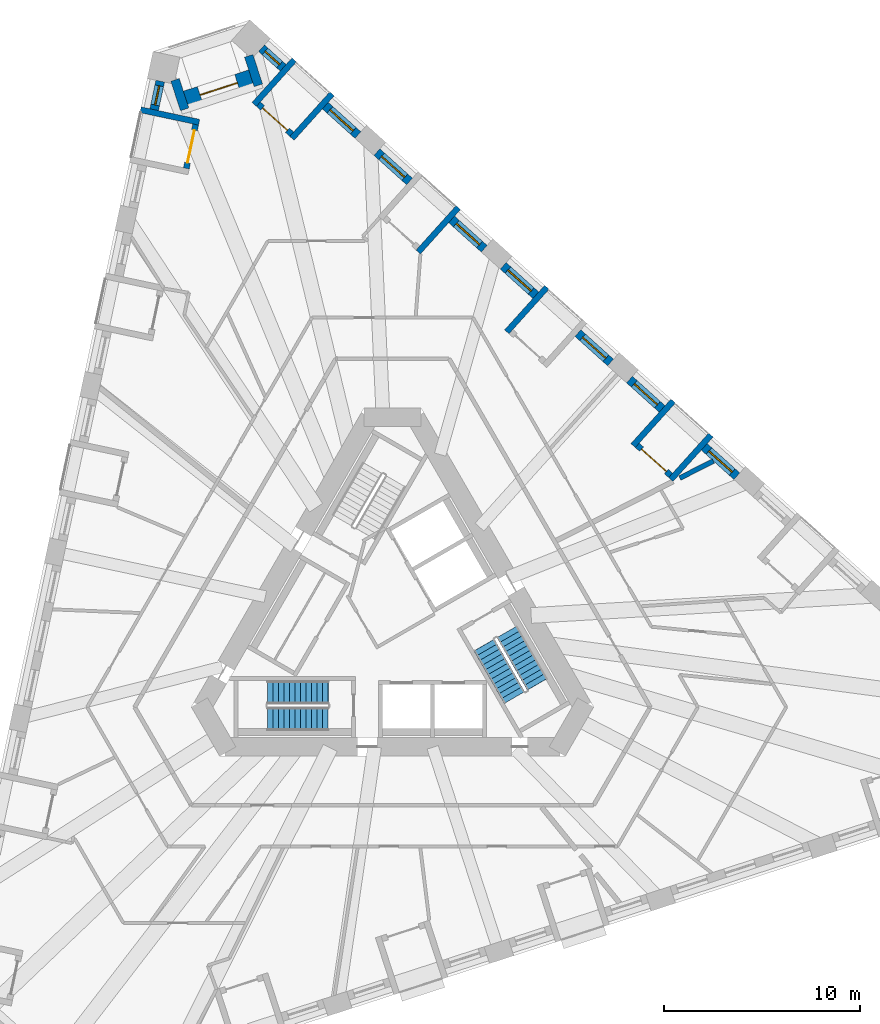
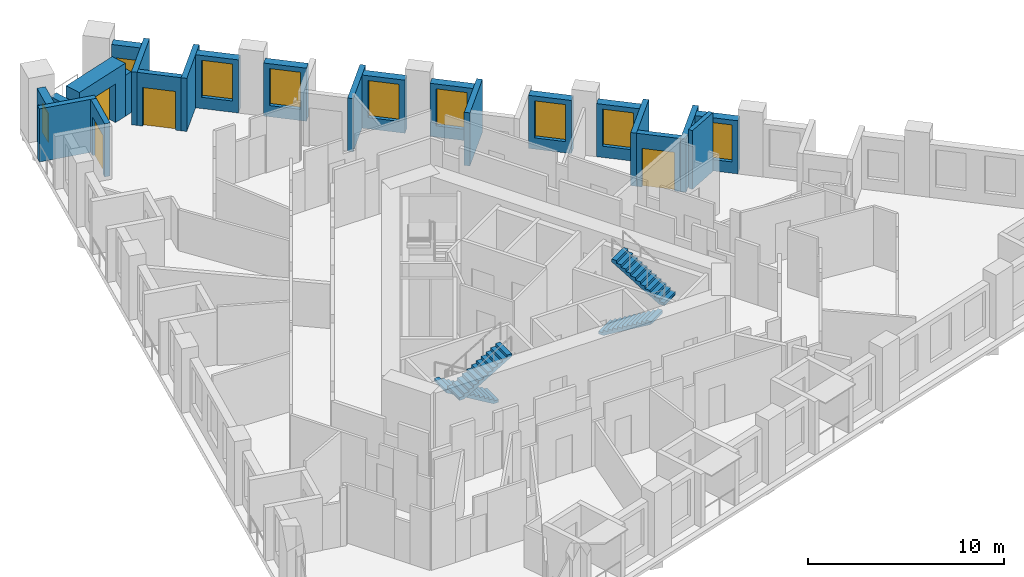
# One storey, part 9 of 13: 23 walls, 9 windows, 4 doors, 4 stair flights, 13 openings, 2 elements without a shape of their own.
"""IFC4 building model written with IfcOpenShell, lengths in metres."""

import ifcopenshell
import ifcopenshell.guid

model = None  # the IFC model being written
_history = None  # IfcOwnerHistory: only IFC2X3 demands one
_inside = {}  # id of a spatial element -> (the spatial element, [elements in it])
_under = {}  # id of a project, library or spatial element -> (it, [spatial elements below it])
_declared = {}  # id of a project -> (the project, [libraries it declares])
_typed = {}  # id of a type object -> (the type object, [elements of that type])
_made_of = {}  # id of a material, layer set ... -> (it, [elements and type objects made of it])


def new_model(schema):
    """Start an empty IFC model of exactly this schema.

    Asked for "IFC4X3", IfcOpenShell would pick the latest addendum, in which some entities
    have other attributes; the version numbers below select the first issue.
    IFC2X3 requires an IfcOwnerHistory on every rooted entity: one is made here for all.
    """
    global model, _history
    if schema == "IFC4X3":
        model = ifcopenshell.file(schema_version=(4, 3, 0, 0))
    else:
        model = ifcopenshell.file(schema=schema)
    _inside.clear()
    _under.clear()
    _declared.clear()
    _typed.clear()
    _made_of.clear()
    _history = None
    if model.schema == "IFC2X3":
        org = make("IfcOrganization", Name="unknown")
        user = make(
            "IfcPersonAndOrganization",
            ThePerson=make("IfcPerson", FamilyName="unknown"),
            TheOrganization=org,
        )
        app = make(
            "IfcApplication",
            ApplicationDeveloper=org,
            Version="unknown",
            ApplicationFullName="unknown",
            ApplicationIdentifier="unknown",
        )
        _history = make(
            "IfcOwnerHistory",
            OwningUser=user,
            OwningApplication=app,
            ChangeAction="ADDED",
            CreationDate=0,
        )
    return model


def make(cls, **values):
    """One entity of the class cls with the attributes given. An attribute that is None is left unset."""
    return model.create_entity(
        cls, **{name: value for name, value in values.items() if value is not None}
    )


def rooted(cls, **values):
    """An entity with a GlobalId (a new one), such as an element, a storey or a relation."""
    return make(cls, GlobalId=ifcopenshell.guid.new(), OwnerHistory=_history, **values)


def si_unit(unit_type, name, prefix=None):
    """IfcSIUnit, for example si_unit("LENGTHUNIT", "METRE", prefix="MILLI")."""
    return make("IfcSIUnit", UnitType=unit_type, Prefix=prefix, Name=name)


def assignment(units):
    """IfcUnitAssignment: the units of a project."""
    return None if units is None else make("IfcUnitAssignment", Units=units)


def point(xyz):
    """IfcCartesianPoint."""
    return None if xyz is None else make("IfcCartesianPoint", Coordinates=xyz)


def direction(xyz):
    """IfcDirection."""
    return None if xyz is None else make("IfcDirection", DirectionRatios=xyz)


def frame(location, z_axis=None, x_axis=None):
    """IfcAxis2Placement3D, a coordinate frame: its origin and axes. An axis left out is left unset."""
    return make(
        "IfcAxis2Placement3D",
        Location=point(location),
        Axis=direction(z_axis),
        RefDirection=direction(x_axis),
    )


def frame_2d(location, x_axis=None):
    """IfcAxis2Placement2D, a coordinate frame in the plane: its origin and x axis."""
    return make(
        "IfcAxis2Placement2D", Location=point(location), RefDirection=direction(x_axis)
    )


def origin():
    """The frame at (0, 0, 0) with its axes left unset."""
    return frame((0.0, 0.0, 0.0))


def place(relative_to, where):
    """IfcLocalPlacement: puts the frame where relative to a parent placement (None: the world)."""
    return make(
        "IfcLocalPlacement", PlacementRelTo=relative_to, RelativePlacement=where
    )


def context(
    kind, dimensions, precision=None, world=None, true_north=None, identifier=None
):
    """IfcGeometricRepresentationContext, for example the 3D "Model" context."""
    return make(
        "IfcGeometricRepresentationContext",
        ContextIdentifier=identifier,
        ContextType=kind,
        CoordinateSpaceDimension=dimensions,
        Precision=precision,
        WorldCoordinateSystem=world,
        TrueNorth=true_north,
    )


def subcontext(parent, identifier, kind, view, scale=None):
    """IfcGeometricRepresentationSubContext, for example "Body" below "Model"."""
    return make(
        "IfcGeometricRepresentationSubContext",
        ContextIdentifier=identifier,
        ContextType=kind,
        ParentContext=parent,
        TargetScale=scale,
        TargetView=view,
    )


def project(units=None, contexts=None):
    """IfcProject with its units and contexts."""
    return rooted(
        "IfcProject",
        Name="project",
        RepresentationContexts=contexts,
        UnitsInContext=assignment(units),
    )


def spatial(cls, under=None, at=None, **own):
    """A site, building, storey or space (cls), placed at a placement, below another one or the project."""
    s = rooted(cls, ObjectPlacement=at, **own)
    if under is not None:
        _under.setdefault(under.id(), (under, []))[1].append(s)
    return s


def polyline(points):
    """IfcPolyline through the points."""
    return make("IfcPolyline", Points=[point(p) for p in points])


def profile(cls, at=None, kind="AREA", **sizes):
    """A parametric profile (cls). Its sizes go by their IFC names, for example OverallWidth=200.0."""
    return make(cls, ProfileType=kind, Position=at, **sizes)


def rectangle(**sizes):
    """IfcRectangleProfileDef."""
    return profile("IfcRectangleProfileDef", **sizes)


def outline(outer, holes=None, kind="AREA"):
    """IfcArbitraryClosedProfileDef: a profile drawn as a closed curve; with holes, ...WithVoids."""
    if holes is None:
        return make("IfcArbitraryClosedProfileDef", ProfileType=kind, OuterCurve=outer)
    return make(
        "IfcArbitraryProfileDefWithVoids",
        ProfileType=kind,
        OuterCurve=outer,
        InnerCurves=holes,
    )


def extrude(swept, where, along, depth):
    """IfcExtrudedAreaSolid: the profile swept, set in the frame where, extruded along a direction by depth."""
    return make(
        "IfcExtrudedAreaSolid",
        SweptArea=swept,
        Position=where,
        ExtrudedDirection=direction(along),
        Depth=depth,
    )


def shape(context_of_items, identifier, shape_type, items):
    """IfcShapeRepresentation: the items that make up one representation, for example the "Body"."""
    return make(
        "IfcShapeRepresentation",
        ContextOfItems=context_of_items,
        RepresentationIdentifier=identifier,
        RepresentationType=shape_type,
        Items=items,
    )


def material(Name=None, Category=None):
    """IfcMaterial."""
    return make("IfcMaterial", Name=Name, Category=Category)


def layer(
    of_material, thickness, ventilated=None, Name=None, Category=None, Priority=None
):
    """IfcMaterialLayer: one layer of a wall or slab, of a material (None: an air gap)."""
    return make(
        "IfcMaterialLayer",
        Material=of_material,
        LayerThickness=thickness,
        IsVentilated=ventilated,
        Name=Name,
        Category=Category,
        Priority=Priority,
    )


def layer_set(layers, Name=None):
    """IfcMaterialLayerSet."""
    return make("IfcMaterialLayerSet", MaterialLayers=layers, LayerSetName=Name)


def made_of(thing, what):
    """Note that an element or type object is made of a material, layer set ...; save() writes the relation."""
    if what is not None:
        _made_of.setdefault(what.id(), (what, []))[1].append(thing)
    return thing


def type_object(cls, material=None, **own):
    """A type object (cls), such as IfcWallType, which elements share."""
    return made_of(rooted(cls, **own), material)


def element(
    cls,
    number,
    at=None,
    inside=None,
    cuts=None,
    type_object=None,
    material=None,
    context=None,
    identifier="Body",
    shape_type=None,
    held_by="IfcProductDefinitionShape",
    body=None,
    shapes=None,
    **own,
):
    """One element of the class cls, such as IfcWall. Its Tag is "e" and its number.

    at: its placement. inside: the storey or other place that contains it. cuts: it is an
    opening in that element (IfcRelVoidsElement). A single representation is given by context,
    identifier, shape_type and body (its items); several are given by shapes. held_by: the class
    of the entity that holds the representations. save() writes the other relations.
    """
    e = rooted(cls, Tag="e%d" % number, ObjectPlacement=at, **own)
    if body is not None:
        shapes = [shape(context, identifier, shape_type, body)]
    if shapes is not None:
        e.Representation = make(held_by, Representations=shapes)
    if inside is not None:
        _inside.setdefault(inside.id(), (inside, []))[1].append(e)
    if cuts is not None:
        rooted(
            "IfcRelVoidsElement", RelatingBuildingElement=cuts, RelatedOpeningElement=e
        )
    if type_object is not None:
        _typed.setdefault(type_object.id(), (type_object, []))[1].append(e)
    return made_of(e, material)


def fill(opening, filler):
    """IfcRelFillsElement: the door or window that sits in an opening."""
    return rooted(
        "IfcRelFillsElement",
        RelatingOpeningElement=opening,
        RelatedBuildingElement=filler,
    )


def aggregate(whole, parts):
    """IfcRelAggregates: a whole, such as a stair, and the parts it consists of."""
    return rooted("IfcRelAggregates", RelatingObject=whole, RelatedObjects=parts)


def save(model, path):
    """Write the relations noted so far, then the file.

    IfcRelAggregates (storeys below a building ...), IfcRelContainedInSpatialStructure (elements
    in a storey), IfcRelDefinesByType, IfcRelAssociatesMaterial and IfcRelDeclares: one each for
    every whole, place, type object, material and project.
    """
    for whole, parts in _under.values():
        aggregate(whole, parts)
    for where, things in _inside.values():
        rooted(
            "IfcRelContainedInSpatialStructure",
            RelatedElements=things,
            RelatingStructure=where,
        )
    for kind, things in _typed.values():
        rooted("IfcRelDefinesByType", RelatedObjects=things, RelatingType=kind)
    for what, things in _made_of.values():
        rooted("IfcRelAssociatesMaterial", RelatedObjects=things, RelatingMaterial=what)
    for by, libraries in _declared.values():
        rooted("IfcRelDeclares", RelatingContext=by, RelatedDefinitions=libraries)
    model.write(path)


model = new_model("IFC4")

# Units and contexts
model_context = context("Model", 3, precision=1e-05, world=origin(), true_north=direction((0.0, 1.0)))
body_context = subcontext(model_context, "Body", "Model", "MODEL_VIEW")
ifc_project = project(units=[si_unit("LENGTHUNIT", "METRE"), si_unit("AREAUNIT", "SQUARE_METRE"), si_unit("VOLUMEUNIT", "CUBIC_METRE"), si_unit("PLANEANGLEUNIT", "RADIAN"), si_unit("MASSUNIT", "GRAM", prefix="KILO")], contexts=[model_context])

# Site, building, storey
site_placement = place(None, origin())
site = spatial("IfcSite", under=ifc_project, at=site_placement, CompositionType="ELEMENT")
building_placement = place(site_placement, origin())
building = spatial("IfcBuilding", under=site, at=building_placement, Name="Tramontana Tower", CompositionType="ELEMENT")
storey_placement = place(building_placement, frame((0.0, 0.0, 116.39990234375)))
storey = spatial("IfcBuildingStorey", under=building, at=storey_placement, Name="L26", CompositionType="ELEMENT", Elevation=116.39990234375)

# Wall, opening, window
ifc_material_1 = material(Name="Precast concrete 60 MPa", Category="concrete")
ifc_layer_1 = layer(ifc_material_1, 0.449951171875)
ifc_layer_set_1 = layer_set([ifc_layer_1], Name="Precast concrete 60 MPa, 450 mm")
wall_type_1 = type_object("IfcWallType", Name="EW1 Stone-faced precast wall 450", PredefinedType="SOLIDWALL", material=ifc_layer_set_1)
wall_1_placement = place(storey_placement, frame((-11.835693359375, 27.645751953125, 0.0), z_axis=(0.0, 0.0, 1.0), x_axis=(-0.207880358131, -0.978154260178, 0.0)))
wall_1 = element("IfcWall", 1, at=wall_1_placement, inside=storey, type_object=wall_type_1, Name="External wall L26 face 0 bay 1", PredefinedType="SOLIDWALL", context=body_context, shape_type="SweptSolid", body=[
    extrude(rectangle(XDim=1.48681640625, YDim=0.449951171875, at=frame_2d((0.743408203125, 0.0))), origin(), (0.0, 0.0, 1.0), 3.300048828125),
])
opening_1_placement = place(wall_1_placement, frame((0.243408203125, 0.0, 0.699951171875)))
opening_1 = element("IfcOpeningElement", 2, at=opening_1_placement, cuts=wall_1, Name="Opening N1L", PredefinedType="OPENING", context=body_context, shape_type="SweptSolid", body=[
    extrude(rectangle(XDim=1.0, YDim=1.800048828125, at=frame_2d((0.5, 0.89990234375))), frame((0.0, 0.23486328125, 0.0), z_axis=(0.0, -1.0, 0.0), x_axis=(1.0, 0.0, 0.0)), (0.0, 0.0, 1.0), 0.469970703125),
])
ifc_material_2 = material(Name="Aluminum frame, double glazing unit", Category="aluminium")
window_type_1 = type_object("IfcWindowType", Name="N1L Window 1 x 1.8", PartitioningType="SINGLE_PANEL", PredefinedType="WINDOW", material=ifc_material_2)
window_1_placement = place(opening_1_placement, origin())
window_1 = element("IfcWindow", 3, at=window_1_placement, inside=storey, type_object=window_type_1, Name="Window N1L L26 face 0 module 1", OverallHeight=1.800048828125, OverallWidth=1.0, PartitioningType="SINGLE_PANEL", PredefinedType="WINDOW", context=body_context, shape_type="SweptSolid", body=[
    extrude(rectangle(XDim=1.0, YDim=1.800048828125, at=frame_2d((0.5, 0.89990234375))), frame((0.0, 0.030029296875, 0.0), z_axis=(0.0, -1.0, 0.0), x_axis=(1.0, 0.0, 0.0)), (0.0, 0.0, 1.0), 0.06005859375),
])
fill(opening_1, window_1)

wall_2_placement = place(storey_placement, frame((17.54541015625, 7.51513671875, 0.0), z_axis=(0.0, 0.0, 1.0), x_axis=(-0.743142151309, 0.669133576311, 0.0)))
wall_2 = element("IfcWall", 4, at=wall_2_placement, inside=storey, type_object=wall_type_1, Name="External wall L26 face 2 bay 3", PredefinedType="SOLIDWALL", context=body_context, shape_type="SweptSolid", body=[
    extrude(rectangle(XDim=2.236572265625, YDim=0.449951171875, at=frame_2d((1.1181640625, 0.0))), origin(), (0.0, 0.0, 1.0), 3.300048828125),
])
opening_2_placement = place(wall_2_placement, frame((0.318359375, 0.0, 0.699951171875)))
opening_2 = element("IfcOpeningElement", 5, at=opening_2_placement, cuts=wall_2, Name="Opening M1", PredefinedType="OPENING", context=body_context, shape_type="SweptSolid", body=[
    extrude(rectangle(XDim=1.60009765625, YDim=2.300048828125, at=frame_2d((0.800048828125, 1.14990234375))), frame((0.0, 0.23486328125, 0.0), z_axis=(0.0, -1.0, 0.0), x_axis=(1.0, 0.0, 0.0)), (0.0, 0.0, 1.0), 0.469970703125),
])
ifc_material_3 = material(Name="Aluminum frame, double glazing unit", Category="aluminium")
window_type_2 = type_object("IfcWindowType", Name="M1 Window 1.6 x 2.3", PartitioningType="SINGLE_PANEL", PredefinedType="WINDOW", material=ifc_material_3)
window_2_placement = place(opening_2_placement, origin())
window_2 = element("IfcWindow", 6, at=window_2_placement, inside=storey, type_object=window_type_2, Name="Window M1 L26 face 2 module 7", OverallHeight=2.300048828125, OverallWidth=1.60009765625, PartitioningType="SINGLE_PANEL", PredefinedType="WINDOW", context=body_context, shape_type="SweptSolid", body=[
    extrude(rectangle(XDim=1.60009765625, YDim=2.300048828125, at=frame_2d((0.800048828125, 1.14990234375))), frame((0.0, 0.030029296875, 0.0), z_axis=(0.0, -1.0, 0.0), x_axis=(1.0, 0.0, 0.0)), (0.0, 0.0, 1.0), 0.06005859375),
])
fill(opening_2, window_2)

wall_3_placement = place(storey_placement, frame((13.738037109375, 10.943359375, 0.0), z_axis=(0.0, 0.0, 1.0), x_axis=(-0.743191019375, 0.669079299276, 0.0)))
wall_3 = element("IfcWall", 7, at=wall_3_placement, inside=storey, type_object=wall_type_1, Name="External wall L26 face 2 bay 3", PredefinedType="SOLIDWALL", context=body_context, shape_type="SweptSolid", body=[
    extrude(rectangle(XDim=2.23681640625, YDim=0.449951171875, at=frame_2d((1.118408203125, 0.0))), origin(), (0.0, 0.0, 1.0), 3.300048828125),
])
opening_3_placement = place(wall_3_placement, frame((0.318359375, 0.0, 0.699951171875)))
opening_3 = element("IfcOpeningElement", 8, at=opening_3_placement, cuts=wall_3, Name="Opening M1", PredefinedType="OPENING", context=body_context, shape_type="SweptSolid", body=[
    extrude(rectangle(XDim=1.60009765625, YDim=2.300048828125, at=frame_2d((0.800048828125, 1.14990234375))), frame((0.0, 0.23486328125, 0.0), z_axis=(0.0, -1.0, 0.0), x_axis=(1.0, 0.0, 0.0)), (0.0, 0.0, 1.0), 0.469970703125),
])
window_3_placement = place(opening_3_placement, origin())
window_3 = element("IfcWindow", 9, at=window_3_placement, inside=storey, type_object=window_type_2, Name="Window M1 L26 face 2 module 9", OverallHeight=2.300048828125, OverallWidth=1.60009765625, PartitioningType="SINGLE_PANEL", PredefinedType="WINDOW", context=body_context, shape_type="SweptSolid", body=[
    extrude(rectangle(XDim=1.60009765625, YDim=2.300048828125, at=frame_2d((0.800048828125, 1.14990234375))), frame((0.0, 0.030029296875, 0.0), z_axis=(0.0, -1.0, 0.0), x_axis=(1.0, 0.0, 0.0)), (0.0, 0.0, 1.0), 0.06005859375),
])
fill(opening_3, window_3)

wall_4_placement = place(storey_placement, frame((11.109619140625, 13.309814453125, 0.0), z_axis=(0.0, 0.0, 1.0), x_axis=(-0.743087873176, 0.669193852885, 0.0)))
wall_4 = element("IfcWall", 10, at=wall_4_placement, inside=storey, type_object=wall_type_1, Name="External wall L26 face 2 bay 4", PredefinedType="SOLIDWALL", context=body_context, shape_type="SweptSolid", body=[
    extrude(rectangle(XDim=2.23681640625, YDim=0.449951171875, at=frame_2d((1.118408203125, 0.0))), origin(), (0.0, 0.0, 1.0), 3.300048828125),
])
opening_4_placement = place(wall_4_placement, frame((0.318359375, 0.0, 0.699951171875)))
opening_4 = element("IfcOpeningElement", 11, at=opening_4_placement, cuts=wall_4, Name="Opening M1", PredefinedType="OPENING", context=body_context, shape_type="SweptSolid", body=[
    extrude(rectangle(XDim=1.60009765625, YDim=2.300048828125, at=frame_2d((0.800048828125, 1.14990234375))), frame((0.0, 0.23486328125, 0.0), z_axis=(0.0, -1.0, 0.0), x_axis=(1.0, 0.0, 0.0)), (0.0, 0.0, 1.0), 0.469970703125),
])
window_4_placement = place(opening_4_placement, origin())
window_4 = element("IfcWindow", 12, at=window_4_placement, inside=storey, type_object=window_type_2, Name="Window M1 L26 face 2 module 10", OverallHeight=2.300048828125, OverallWidth=1.60009765625, PartitioningType="SINGLE_PANEL", PredefinedType="WINDOW", context=body_context, shape_type="SweptSolid", body=[
    extrude(rectangle(XDim=1.60009765625, YDim=2.300048828125, at=frame_2d((0.800048828125, 1.14990234375))), frame((0.0, 0.030029296875, 0.0), z_axis=(0.0, -1.0, 0.0), x_axis=(1.0, 0.0, 0.0)), (0.0, 0.0, 1.0), 0.06005859375),
])
fill(opening_4, window_4)

wall_5_placement = place(storey_placement, frame((7.30224609375, 16.73828125, 0.0), z_axis=(0.0, 0.0, 1.0), x_axis=(-0.743191019375, 0.669079299276, 0.0)))
wall_5 = element("IfcWall", 13, at=wall_5_placement, inside=storey, type_object=wall_type_1, Name="External wall L26 face 2 bay 4", PredefinedType="SOLIDWALL", context=body_context, shape_type="SweptSolid", body=[
    extrude(rectangle(XDim=2.23681640625, YDim=0.449951171875, at=frame_2d((1.118408203125, 0.0))), origin(), (0.0, 0.0, 1.0), 3.300048828125),
])
opening_5_placement = place(wall_5_placement, frame((0.318359375, 0.0, 0.699951171875)))
opening_5 = element("IfcOpeningElement", 14, at=opening_5_placement, cuts=wall_5, Name="Opening M1", PredefinedType="OPENING", context=body_context, shape_type="SweptSolid", body=[
    extrude(rectangle(XDim=1.60009765625, YDim=2.300048828125, at=frame_2d((0.800048828125, 1.14990234375))), frame((0.0, 0.23486328125, 0.0), z_axis=(0.0, -1.0, 0.0), x_axis=(1.0, 0.0, 0.0)), (0.0, 0.0, 1.0), 0.469970703125),
])
window_5_placement = place(opening_5_placement, origin())
window_5 = element("IfcWindow", 15, at=window_5_placement, inside=storey, type_object=window_type_2, Name="Window M1 L26 face 2 module 12", OverallHeight=2.300048828125, OverallWidth=1.60009765625, PartitioningType="SINGLE_PANEL", PredefinedType="WINDOW", context=body_context, shape_type="SweptSolid", body=[
    extrude(rectangle(XDim=1.60009765625, YDim=2.300048828125, at=frame_2d((0.800048828125, 1.14990234375))), frame((0.0, 0.030029296875, 0.0), z_axis=(0.0, -1.0, 0.0), x_axis=(1.0, 0.0, 0.0)), (0.0, 0.0, 1.0), 0.06005859375),
])
fill(opening_5, window_5)

wall_6_placement = place(storey_placement, frame((4.673828125, 19.104736328125, 0.0), z_axis=(0.0, 0.0, 1.0), x_axis=(-0.743191019375, 0.669079299276, 0.0)))
wall_6 = element("IfcWall", 16, at=wall_6_placement, inside=storey, type_object=wall_type_1, Name="External wall L26 face 2 bay 5", PredefinedType="SOLIDWALL", context=body_context, shape_type="SweptSolid", body=[
    extrude(rectangle(XDim=2.23681640625, YDim=0.449951171875, at=frame_2d((1.118408203125, 0.0))), origin(), (0.0, 0.0, 1.0), 3.300048828125),
])
opening_6_placement = place(wall_6_placement, frame((0.318359375, 0.0, 0.699951171875)))
opening_6 = element("IfcOpeningElement", 17, at=opening_6_placement, cuts=wall_6, Name="Opening M1", PredefinedType="OPENING", context=body_context, shape_type="SweptSolid", body=[
    extrude(rectangle(XDim=1.60009765625, YDim=2.300048828125, at=frame_2d((0.800048828125, 1.14990234375))), frame((0.0, 0.23486328125, 0.0), z_axis=(0.0, -1.0, 0.0), x_axis=(1.0, 0.0, 0.0)), (0.0, 0.0, 1.0), 0.469970703125),
])
window_6_placement = place(opening_6_placement, origin())
window_6 = element("IfcWindow", 18, at=window_6_placement, inside=storey, type_object=window_type_2, Name="Window M1 L26 face 2 module 13", OverallHeight=2.300048828125, OverallWidth=1.60009765625, PartitioningType="SINGLE_PANEL", PredefinedType="WINDOW", context=body_context, shape_type="SweptSolid", body=[
    extrude(rectangle(XDim=1.60009765625, YDim=2.300048828125, at=frame_2d((0.800048828125, 1.14990234375))), frame((0.0, 0.030029296875, 0.0), z_axis=(0.0, -1.0, 0.0), x_axis=(1.0, 0.0, 0.0)), (0.0, 0.0, 1.0), 0.06005859375),
])
fill(opening_6, window_6)

wall_7_placement = place(storey_placement, frame((0.8662109375, 22.532958984375, 0.0), z_axis=(0.0, 0.0, 1.0), x_axis=(-0.743087873176, 0.669193852885, 0.0)))
wall_7 = element("IfcWall", 19, at=wall_7_placement, inside=storey, type_object=wall_type_1, Name="External wall L26 face 2 bay 5", PredefinedType="SOLIDWALL", context=body_context, shape_type="SweptSolid", body=[
    extrude(rectangle(XDim=2.23681640625, YDim=0.449951171875, at=frame_2d((1.118408203125, 0.0))), origin(), (0.0, 0.0, 1.0), 3.300048828125),
])
opening_7_placement = place(wall_7_placement, frame((0.318359375, 0.0, 0.699951171875)))
opening_7 = element("IfcOpeningElement", 20, at=opening_7_placement, cuts=wall_7, Name="Opening M1", PredefinedType="OPENING", context=body_context, shape_type="SweptSolid", body=[
    extrude(rectangle(XDim=1.60009765625, YDim=2.300048828125, at=frame_2d((0.800048828125, 1.14990234375))), frame((0.0, 0.23486328125, 0.0), z_axis=(0.0, -1.0, 0.0), x_axis=(1.0, 0.0, 0.0)), (0.0, 0.0, 1.0), 0.469970703125),
])
window_7_placement = place(opening_7_placement, origin())
window_7 = element("IfcWindow", 21, at=window_7_placement, inside=storey, type_object=window_type_2, Name="Window M1 L26 face 2 module 15", OverallHeight=2.300048828125, OverallWidth=1.60009765625, PartitioningType="SINGLE_PANEL", PredefinedType="WINDOW", context=body_context, shape_type="SweptSolid", body=[
    extrude(rectangle(XDim=1.60009765625, YDim=2.300048828125, at=frame_2d((0.800048828125, 1.14990234375))), frame((0.0, 0.030029296875, 0.0), z_axis=(0.0, -1.0, 0.0), x_axis=(1.0, 0.0, 0.0)), (0.0, 0.0, 1.0), 0.06005859375),
])
fill(opening_7, window_7)

wall_8_placement = place(storey_placement, frame((-1.761962890625, 24.899658203125, 0.0), z_axis=(0.0, 0.0, 1.0), x_axis=(-0.743191019375, 0.669079299276, 0.0)))
wall_8 = element("IfcWall", 22, at=wall_8_placement, inside=storey, type_object=wall_type_1, Name="External wall L26 face 2 bay 6", PredefinedType="SOLIDWALL", context=body_context, shape_type="SweptSolid", body=[
    extrude(rectangle(XDim=2.23681640625, YDim=0.449951171875, at=frame_2d((1.118408203125, 0.0))), origin(), (0.0, 0.0, 1.0), 3.300048828125),
])
opening_8_placement = place(wall_8_placement, frame((0.318359375, 0.0, 0.699951171875)))
opening_8 = element("IfcOpeningElement", 23, at=opening_8_placement, cuts=wall_8, Name="Opening M1", PredefinedType="OPENING", context=body_context, shape_type="SweptSolid", body=[
    extrude(rectangle(XDim=1.60009765625, YDim=2.300048828125, at=frame_2d((0.800048828125, 1.14990234375))), frame((0.0, 0.23486328125, 0.0), z_axis=(0.0, -1.0, 0.0), x_axis=(1.0, 0.0, 0.0)), (0.0, 0.0, 1.0), 0.469970703125),
])
window_8_placement = place(opening_8_placement, origin())
window_8 = element("IfcWindow", 24, at=window_8_placement, inside=storey, type_object=window_type_2, Name="Window M1 L26 face 2 module 16", OverallHeight=2.300048828125, OverallWidth=1.60009765625, PartitioningType="SINGLE_PANEL", PredefinedType="WINDOW", context=body_context, shape_type="SweptSolid", body=[
    extrude(rectangle(XDim=1.60009765625, YDim=2.300048828125, at=frame_2d((0.800048828125, 1.14990234375))), frame((0.0, 0.030029296875, 0.0), z_axis=(0.0, -1.0, 0.0), x_axis=(1.0, 0.0, 0.0)), (0.0, 0.0, 1.0), 0.06005859375),
])
fill(opening_8, window_8)

wall_9_placement = place(storey_placement, frame((-5.569580078125, 28.327880859375, 0.0), z_axis=(0.0, 0.0, 1.0), x_axis=(-0.743089972274, 0.669191521992, 0.0)))
wall_9 = element("IfcWall", 25, at=wall_9_placement, inside=storey, type_object=wall_type_1, Name="External wall L26 face 2 bay 6", PredefinedType="SOLIDWALL", context=body_context, shape_type="SweptSolid", body=[
    extrude(rectangle(XDim=1.486572265625, YDim=0.449951171875, at=frame_2d((0.7431640625, 0.0))), origin(), (0.0, 0.0, 1.0), 3.300048828125),
])
opening_9_placement = place(wall_9_placement, frame((0.243408203125, 0.0, 0.699951171875)))
opening_9 = element("IfcOpeningElement", 26, at=opening_9_placement, cuts=wall_9, Name="Opening N1L", PredefinedType="OPENING", context=body_context, shape_type="SweptSolid", body=[
    extrude(rectangle(XDim=1.0, YDim=1.800048828125, at=frame_2d((0.5, 0.89990234375))), frame((0.0, 0.23486328125, 0.0), z_axis=(0.0, -1.0, 0.0), x_axis=(1.0, 0.0, 0.0)), (0.0, 0.0, 1.0), 0.469970703125),
])
window_9_placement = place(opening_9_placement, origin())
window_9 = element("IfcWindow", 27, at=window_9_placement, inside=storey, type_object=window_type_1, Name="Window N1L L26 face 2 module 18", OverallHeight=1.800048828125, OverallWidth=1.0, PartitioningType="SINGLE_PANEL", PredefinedType="WINDOW", context=body_context, shape_type="SweptSolid", body=[
    extrude(rectangle(XDim=1.0, YDim=1.800048828125, at=frame_2d((0.5, 0.89990234375))), frame((0.0, 0.030029296875, 0.0), z_axis=(0.0, -1.0, 0.0), x_axis=(1.0, 0.0, 0.0)), (0.0, 0.0, 1.0), 0.06005859375),
])
fill(opening_9, window_9)

# Walls
for number, where, z_axis, x_axis, name in (
    (28, (-11.08056640625, 27.71142578125, 0.0), (0.0, 0.0, 1.0), (0.309030142399, -0.951052244143, 0.0), "Corner loggia side wall L26 K20l"),
    (29, (-7.323974609375, 28.93212890625, 0.0), (0.0, 0.0, 1.0), (0.309030142399, -0.951052244143, 0.0), "Corner loggia side wall L26 K20r"),
):
    element("IfcWall", number, at=place(storey_placement, frame(where, z_axis=z_axis, x_axis=x_axis)), inside=storey, type_object=wall_type_1, Name=name, PredefinedType="SOLIDWALL", context=body_context, shape_type="SweptSolid", body=[
        extrude(rectangle(XDim=1.579345703125, YDim=0.449951171875, at=frame_2d((0.78955078125, 0.0))), origin(), (0.0, 0.0, 1.0), 2.550048828125),
    ])

# Wall, opening, door
ifc_material_4 = material(Name="Precast concrete 60 MPa", Category="concrete")
ifc_layer_2 = layer(ifc_material_4, 0.89990234375)
ifc_layer_set_2 = layer_set([ifc_layer_2], Name="EW2 Stone-faced corner loggia wall 900")
wall_type_2 = type_object("IfcWallType", Name="EW2 Stone-faced corner loggia wall 900", PredefinedType="SOLIDWALL", material=ifc_layer_set_2)
wall_10_placement = place(storey_placement, frame((-10.517578125, 26.70703125, 0.0), z_axis=(0.0, 0.0, 1.0), x_axis=(0.951055596592, 0.309019824916, 0.0)))
wall_10 = element("IfcWall", 30, at=wall_10_placement, inside=storey, type_object=wall_type_2, Name="Corner loggia wall L26 K20", PredefinedType="SOLIDWALL", context=body_context, shape_type="SweptSolid", body=[
    extrude(rectangle(XDim=3.5, YDim=0.89990234375, at=frame_2d((1.75, 0.0))), origin(), (0.0, 0.0, 1.0), 3.300048828125),
])
opening_10_placement = place(wall_10_placement, frame((0.75, 0.0, 0.0)))
opening_10 = element("IfcOpeningElement", 31, at=opening_10_placement, cuts=wall_10, Name="Opening BD-20C", PredefinedType="OPENING", context=body_context, shape_type="SweptSolid", body=[
    extrude(rectangle(XDim=2.0, YDim=2.39990234375, at=frame_2d((1.0, 1.199951171875))), frame((0.0, 0.4599609375, 0.0), z_axis=(0.0, -1.0, 0.0), x_axis=(1.0, 0.0, 0.0)), (0.0, 0.0, 1.0), 0.919921875),
])
ifc_material_5 = material(Name="Aluminum frame, double glazing unit", Category="aluminium")
door_type_1 = type_object("IfcDoorType", Name="BC1 Sliding door 2 x 2.4", OperationType="SLIDING_TO_LEFT", PredefinedType="DOOR", material=ifc_material_5)
door_1_placement = place(opening_10_placement, origin())
door_1 = element("IfcDoor", 32, at=door_1_placement, inside=storey, type_object=door_type_1, Name="Corner loggia door L26 K20", OperationType="SLIDING_TO_LEFT", OverallHeight=2.39990234375, OverallWidth=2.0, PredefinedType="DOOR", context=body_context, shape_type="SweptSolid", body=[
    extrude(rectangle(XDim=2.0, YDim=2.39990234375, at=frame_2d((1.0, 1.199951171875))), frame((0.0, 0.02490234375, 0.0), z_axis=(0.0, -1.0, 0.0), x_axis=(1.0, 0.0, 0.0)), (0.0, 0.0, 1.0), 0.050048828125),
])
fill(opening_10, door_1)

ifc_material_6 = material(Name="Precast concrete 60 MPa", Category="concrete")
ifc_layer_3 = layer(ifc_material_6, 0.300048828125)
ifc_layer_set_3 = layer_set([ifc_layer_3], Name="LW1 Stone-faced loggia wall 300")
wall_type_3 = type_object("IfcWallType", Name="LW1 Stone-faced loggia wall 300", PredefinedType="SOLIDWALL", material=ifc_layer_set_3)
wall_11_placement = place(storey_placement, frame((-10.031005859375, 25.435302734375, 0.0), z_axis=(0.0, 0.0, 1.0), x_axis=(-0.207866417042, -0.978157222877, 0.0)))
wall_11 = element("IfcWall", 33, at=wall_11_placement, inside=storey, type_object=wall_type_3, Name="Loggia wall L26 G2S0.1", PredefinedType="SOLIDWALL", context=body_context, shape_type="SweptSolid", body=[
    extrude(rectangle(XDim=2.286865234375, YDim=0.300048828125, at=frame_2d((1.1435546875, 0.0))), origin(), (0.0, 0.0, 1.0), 3.300048828125),
])
opening_11_placement = place(wall_11_placement, frame((0.29345703125, 0.0, 0.0)))
opening_11 = element("IfcOpeningElement", 34, at=opening_11_placement, cuts=wall_11, Name="Opening BD-2S0-01", PredefinedType="OPENING", context=body_context, shape_type="SweptSolid", body=[
    extrude(rectangle(XDim=1.699951171875, YDim=2.39990234375, at=frame_2d((0.85009765625, 1.199951171875))), frame((0.0, 0.159912109375, 0.0), z_axis=(0.0, -1.0, 0.0), x_axis=(1.0, 0.0, 0.0)), (0.0, 0.0, 1.0), 0.320068359375),
])
ifc_material_7 = material(Name="Aluminum frame, double glazing unit", Category="aluminium")
door_type_2 = type_object("IfcDoorType", Name="BD1 Sliding door 1.7 x 2.4", OperationType="SLIDING_TO_LEFT", PredefinedType="DOOR", material=ifc_material_7)
door_2_placement = place(opening_11_placement, origin())
door_2 = element("IfcDoor", 35, at=door_2_placement, inside=storey, type_object=door_type_2, Name="Loggia door L26 G2S0.1", OperationType="SLIDING_TO_LEFT", OverallHeight=2.39990234375, OverallWidth=1.699951171875, PredefinedType="DOOR", context=body_context, shape_type="SweptSolid", body=[
    extrude(rectangle(XDim=1.699951171875, YDim=2.39990234375, at=frame_2d((0.85009765625, 1.199951171875))), frame((0.0, 0.02490234375, 0.0), z_axis=(0.0, -1.0, 0.0), x_axis=(1.0, 0.0, 0.0)), (0.0, 0.0, 1.0), 0.050048828125),
])
fill(opening_11, door_2)

# Wall
wall_12_placement = place(storey_placement, frame((-12.83642578125, 26.18505859375, 0.0), z_axis=(0.0, 0.0, 1.0), x_axis=(0.978154782045, -0.207877902534, 0.0)))
element("IfcWall", 36, at=wall_12_placement, inside=storey, type_object=wall_type_3, Name="Loggia return L26 G2S0.1a", PredefinedType="SOLIDWALL", context=body_context, shape_type="SweptSolid", body=[
    extrude(rectangle(XDim=3.050048828125, YDim=0.300048828125, at=frame_2d((1.52490234375, 0.0))), origin(), (0.0, 0.0, 1.0), 3.300048828125),
])

# Wall, opening, door
wall_13_placement = place(storey_placement, frame((14.17138671875, 7.55908203125, 0.0), z_axis=(0.0, 0.0, 1.0), x_axis=(-0.743134851659, 0.66914168324, 0.0)))
wall_13 = element("IfcWall", 37, at=wall_13_placement, inside=storey, type_object=wall_type_3, Name="Loggia wall L26 G2S2.7", PredefinedType="SOLIDWALL", context=body_context, shape_type="SweptSolid", body=[
    extrude(rectangle(XDim=2.28662109375, YDim=0.300048828125, at=frame_2d((1.143310546875, 0.0))), origin(), (0.0, 0.0, 1.0), 3.300048828125),
])
opening_12_placement = place(wall_13_placement, frame((0.29345703125, 0.0, 0.0)))
opening_12 = element("IfcOpeningElement", 38, at=opening_12_placement, cuts=wall_13, Name="Opening BD-2S2-07", PredefinedType="OPENING", context=body_context, shape_type="SweptSolid", body=[
    extrude(rectangle(XDim=1.699951171875, YDim=2.39990234375, at=frame_2d((0.85009765625, 1.199951171875))), frame((0.0, 0.159912109375, 0.0), z_axis=(0.0, -1.0, 0.0), x_axis=(1.0, 0.0, 0.0)), (0.0, 0.0, 1.0), 0.320068359375),
])
door_3_placement = place(opening_12_placement, origin())
door_3 = element("IfcDoor", 39, at=door_3_placement, inside=storey, type_object=door_type_2, Name="Loggia door L26 G2S2.7", OperationType="SLIDING_TO_LEFT", OverallHeight=2.39990234375, OverallWidth=1.699951171875, PredefinedType="DOOR", context=body_context, shape_type="SweptSolid", body=[
    extrude(rectangle(XDim=1.699951171875, YDim=2.39990234375, at=frame_2d((0.85009765625, 1.199951171875))), frame((0.0, 0.02490234375, 0.0), z_axis=(0.0, -1.0, 0.0), x_axis=(1.0, 0.0, 0.0)), (0.0, 0.0, 1.0), 0.050048828125),
])
fill(opening_12, door_3)

# Walls
for number, where, z_axis, x_axis, name in (
    (40, (16.223388671875, 9.61376953125, 0.0), (0.0, 0.0, 1.0), (-0.669115082961, -0.743158802514, 0.0), "Loggia return L26 G2S2.7a"),
    (41, (14.301025390625, 11.3447265625, 0.0), (0.0, 0.0, 1.0), (-0.669115082961, -0.743158802514, 0.0), "Loggia return L26 G2S2.7b"),
    (42, (7.865234375, 17.139404296875, 0.0), (0.0, 0.0, 1.0), (-0.669115082961, -0.743158802514, 0.0), "Loggia return L26 G2S2.10b"),
    (43, (3.351806640625, 21.203369140625, 0.0), (0.0, 0.0, 1.0), (-0.669115082961, -0.743158802514, 0.0), "Loggia return L26 G2S2.13a"),
):
    element("IfcWall", number, at=place(storey_placement, frame(where, z_axis=z_axis, x_axis=x_axis)), inside=storey, type_object=wall_type_3, Name=name, PredefinedType="SOLIDWALL", context=body_context, shape_type="SweptSolid", body=[
        extrude(rectangle(XDim=3.050048828125, YDim=0.300048828125, at=frame_2d((1.52490234375, 0.0))), origin(), (0.0, 0.0, 1.0), 3.300048828125),
    ])

# Wall, opening, door
wall_14_placement = place(storey_placement, frame((-5.135986328125, 24.943603515625, 0.0), z_axis=(0.0, 0.0, 1.0), x_axis=(-0.743182653308, 0.669088591909, 0.0)))
wall_14 = element("IfcWall", 44, at=wall_14_placement, inside=storey, type_object=wall_type_3, Name="Loggia wall L26 G2S2.16", PredefinedType="SOLIDWALL", context=body_context, shape_type="SweptSolid", body=[
    extrude(rectangle(XDim=2.28662109375, YDim=0.300048828125, at=frame_2d((1.143310546875, 0.0))), origin(), (0.0, 0.0, 1.0), 3.300048828125),
])
opening_13_placement = place(wall_14_placement, frame((0.29345703125, 0.0, 0.0)))
opening_13 = element("IfcOpeningElement", 45, at=opening_13_placement, cuts=wall_14, Name="Opening BD-2S2-16", PredefinedType="OPENING", context=body_context, shape_type="SweptSolid", body=[
    extrude(rectangle(XDim=1.699951171875, YDim=2.39990234375, at=frame_2d((0.85009765625, 1.199951171875))), frame((0.0, 0.159912109375, 0.0), z_axis=(0.0, -1.0, 0.0), x_axis=(1.0, 0.0, 0.0)), (0.0, 0.0, 1.0), 0.320068359375),
])
door_4_placement = place(opening_13_placement, origin())
door_4 = element("IfcDoor", 46, at=door_4_placement, inside=storey, type_object=door_type_2, Name="Loggia door L26 G2S2.16", OperationType="SLIDING_TO_LEFT", OverallHeight=2.39990234375, OverallWidth=1.699951171875, PredefinedType="DOOR", context=body_context, shape_type="SweptSolid", body=[
    extrude(rectangle(XDim=1.699951171875, YDim=2.39990234375, at=frame_2d((0.85009765625, 1.199951171875))), frame((0.0, 0.02490234375, 0.0), z_axis=(0.0, -1.0, 0.0), x_axis=(1.0, 0.0, 0.0)), (0.0, 0.0, 1.0), 0.050048828125),
])
fill(opening_13, door_4)

# Walls
for number, where, z_axis, x_axis, name in (
    (47, (-3.083984375, 26.998291015625, 0.0), (0.0, 0.0, 1.0), (-0.669159288314, -0.743118999127, 0.0), "Loggia return L26 G2S2.16a"),
    (48, (-5.00634765625, 28.729248046875, 0.0), (0.0, 0.0, 1.0), (-0.669115082961, -0.743158802514, 0.0), "Loggia return L26 G2S2.16b"),
):
    element("IfcWall", number, at=place(storey_placement, frame(where, z_axis=z_axis, x_axis=x_axis)), inside=storey, type_object=wall_type_3, Name=name, PredefinedType="SOLIDWALL", context=body_context, shape_type="SweptSolid", body=[
        extrude(rectangle(XDim=3.050048828125, YDim=0.300048828125, at=frame_2d((1.52490234375, 0.0))), origin(), (0.0, 0.0, 1.0), 3.300048828125),
    ])
ifc_material_8 = material(Name="Blockwork", Category="masonry")
ifc_layer_4 = layer(ifc_material_8, 0.25)
ifc_layer_set_4 = layer_set([ifc_layer_4], Name="PARTY WALL 250")
wall_type_4 = type_object("IfcWallType", Name="PARTY WALL 250", PredefinedType="SOLIDWALL", material=ifc_layer_set_4)
wall_15_placement = place(storey_placement, frame((16.349609375, 8.288818359375, 0.0), z_axis=(0.0, 0.0, 1.0), x_axis=(-0.891967268006, -0.452099980984, 0.0)))
element("IfcWall", 49, at=wall_15_placement, inside=storey, type_object=wall_type_4, Name="Wall v22-pw44", PredefinedType="SOLIDWALL", context=body_context, shape_type="SweptSolid", body=[
    extrude(rectangle(XDim=1.916015625, YDim=0.25, at=frame_2d((0.9580078125, 0.0))), origin(), (0.0, 0.0, 1.0), 3.650146484375),
])

# Stair, stair flights
ifc_material_9 = material(Name="Concrete 40 MPa", Category="concrete")
stair_type = type_object("IfcStairType", Name="EXIT STAIR 24 RISERS", PredefinedType="HALF_TURN_STAIR", material=ifc_material_9)
stair_1_placement = place(storey_placement, origin())
stair_1 = element("IfcStair", 50, at=stair_1_placement, inside=storey, type_object=stair_type, Name="L26 Exit stair ST2", PredefinedType="HALF_TURN_STAIR")
ifc_material_10 = material(Name="Concrete 40 MPa", Category="concrete")
ifc_layer_5 = layer(ifc_material_10, 0.14990234375)
ifc_layer_set_5 = layer_set([ifc_layer_5], Name="EXIT STAIR FLIGHT")
stair_flight_type = type_object("IfcStairFlightType", Name="EXIT STAIR FLIGHT", PredefinedType="STRAIGHT", material=ifc_layer_set_5)
stair_flight_1_placement = place(storey_placement, frame((-3.280029296875, -3.5, 0.0), z_axis=(0.0, 0.0, 1.0), x_axis=(-1.0, 0.0, 0.0)))
stair_flight_1 = element("IfcStairFlight", 51, at=stair_flight_1_placement, type_object=stair_flight_type, Name="ST2 flight 1", NumberOfRisers=12, NumberOfTreads=11, PredefinedType="STRAIGHT", RiserHeight=0.166666667, TreadLength=0.28, context=body_context, shape_type="SweptSolid", body=[
    extrude(outline(polyline([(-0.006103515625, 0.0), (-0.006103515625, 0.0400390625), (0.0, 0.0400390625), (0.0, 0.166748046875), (0.280029296875, 0.166748046875), (0.280029296875, 0.333251953125), (0.56005859375, 0.333251953125), (0.56005859375, 0.5), (0.840087890625, 0.5), (0.840087890625, 0.666748046875), (1.1201171875, 0.666748046875), (1.1201171875, 0.833251953125), (1.39990234375, 0.833251953125), (1.39990234375, 1.0), (1.679931640625, 1.0), (1.679931640625, 1.166748046875), (1.9599609375, 1.166748046875), (1.9599609375, 1.333251953125), (2.239990234375, 1.333251953125), (2.239990234375, 1.5), (2.52001953125, 1.5), (2.52001953125, 1.666748046875), (2.800048828125, 1.666748046875), (2.800048828125, 1.833251953125), (3.080078125, 1.833251953125), (3.0859375, 1.833251953125), (3.0859375, 1.658935546875), (0.299072265625, 0.0), (-0.006103515625, 0.0)])), frame((0.0, 0.60009765625, 0.0), z_axis=(0.0, -1.0, 0.0), x_axis=(1.0, 0.0, 0.0)), (0.0, 0.0, 1.0), 1.199951171875),
])
stair_flight_2_placement = place(storey_placement, frame((-6.360107421875, -4.85009765625, 2.0), z_axis=(0.0, 0.0, 1.0), x_axis=(1.0, 0.0, 0.0)))
stair_flight_2 = element("IfcStairFlight", 52, at=stair_flight_2_placement, type_object=stair_flight_type, Name="ST2 flight 2", NumberOfRisers=12, NumberOfTreads=11, PredefinedType="STRAIGHT", RiserHeight=0.166666667, TreadLength=0.28, context=body_context, shape_type="SweptSolid", body=[
    extrude(outline(polyline([(-0.006103515625, 0.0), (-0.006103515625, 0.0400390625), (0.0, 0.0400390625), (0.0, 0.166748046875), (0.280029296875, 0.166748046875), (0.280029296875, 0.333251953125), (0.56005859375, 0.333251953125), (0.56005859375, 0.5), (0.840087890625, 0.5), (0.840087890625, 0.666748046875), (1.1201171875, 0.666748046875), (1.1201171875, 0.833251953125), (1.39990234375, 0.833251953125), (1.39990234375, 1.0), (1.679931640625, 1.0), (1.679931640625, 1.166748046875), (1.9599609375, 1.166748046875), (1.9599609375, 1.333251953125), (2.239990234375, 1.333251953125), (2.239990234375, 1.5), (2.52001953125, 1.5), (2.52001953125, 1.666748046875), (2.800048828125, 1.666748046875), (2.800048828125, 1.833251953125), (3.080078125, 1.833251953125), (3.0859375, 1.833251953125), (3.0859375, 1.658935546875), (0.299072265625, 0.0), (-0.006103515625, 0.0)])), frame((0.0, 0.60009765625, 0.0), z_axis=(0.0, -1.0, 0.0), x_axis=(1.0, 0.0, 0.0)), (0.0, 0.0, 1.0), 1.199951171875),
])
aggregate(stair_1, [stair_flight_1, stair_flight_2])

stair_2_placement = place(storey_placement, origin())
stair_2 = element("IfcStair", 53, at=stair_2_placement, inside=storey, type_object=stair_type, Name="L26 Exit stair ST3", PredefinedType="HALF_TURN_STAIR")
stair_flight_3_placement = place(storey_placement, frame((4.671142578125, -1.090576171875, 0.0), z_axis=(0.0, 0.0, 1.0), x_axis=(0.5, -0.866025403784, 0.0)))
stair_flight_3 = element("IfcStairFlight", 54, at=stair_flight_3_placement, type_object=stair_flight_type, Name="ST3 flight 1", NumberOfRisers=12, NumberOfTreads=11, PredefinedType="STRAIGHT", RiserHeight=0.166666667, TreadLength=0.28, context=body_context, shape_type="SweptSolid", body=[
    extrude(outline(polyline([(-0.006103515625, 0.0), (-0.006103515625, 0.0400390625), (0.0, 0.0400390625), (0.0, 0.166748046875), (0.280029296875, 0.166748046875), (0.280029296875, 0.333251953125), (0.56005859375, 0.333251953125), (0.56005859375, 0.5), (0.840087890625, 0.5), (0.840087890625, 0.666748046875), (1.1201171875, 0.666748046875), (1.1201171875, 0.833251953125), (1.39990234375, 0.833251953125), (1.39990234375, 1.0), (1.679931640625, 1.0), (1.679931640625, 1.166748046875), (1.9599609375, 1.166748046875), (1.9599609375, 1.333251953125), (2.239990234375, 1.333251953125), (2.239990234375, 1.5), (2.52001953125, 1.5), (2.52001953125, 1.666748046875), (2.800048828125, 1.666748046875), (2.800048828125, 1.833251953125), (3.080078125, 1.833251953125), (3.0859375, 1.833251953125), (3.0859375, 1.658935546875), (0.299072265625, 0.0), (-0.006103515625, 0.0)])), frame((0.0, 0.60009765625, 0.0), z_axis=(0.0, -1.0, 0.0), x_axis=(1.0, 0.0, 0.0)), (0.0, 0.0, 1.0), 1.199951171875),
])
stair_flight_4_placement = place(storey_placement, frame((7.380126953125, -3.0830078125, 2.0), z_axis=(0.0, 0.0, 1.0), x_axis=(-0.5, 0.866025403784, 0.0)))
stair_flight_4 = element("IfcStairFlight", 55, at=stair_flight_4_placement, type_object=stair_flight_type, Name="ST3 flight 2", NumberOfRisers=12, NumberOfTreads=11, PredefinedType="STRAIGHT", RiserHeight=0.166666667, TreadLength=0.28, context=body_context, shape_type="SweptSolid", body=[
    extrude(outline(polyline([(-0.006103515625, 0.0), (-0.006103515625, 0.0400390625), (0.0, 0.0400390625), (0.0, 0.166748046875), (0.280029296875, 0.166748046875), (0.280029296875, 0.333251953125), (0.56005859375, 0.333251953125), (0.56005859375, 0.5), (0.840087890625, 0.5), (0.840087890625, 0.666748046875), (1.1201171875, 0.666748046875), (1.1201171875, 0.833251953125), (1.39990234375, 0.833251953125), (1.39990234375, 1.0), (1.679931640625, 1.0), (1.679931640625, 1.166748046875), (1.9599609375, 1.166748046875), (1.9599609375, 1.333251953125), (2.239990234375, 1.333251953125), (2.239990234375, 1.5), (2.52001953125, 1.5), (2.52001953125, 1.666748046875), (2.800048828125, 1.666748046875), (2.800048828125, 1.833251953125), (3.080078125, 1.833251953125), (3.0859375, 1.833251953125), (3.0859375, 1.658935546875), (0.299072265625, 0.0), (-0.006103515625, 0.0)])), frame((0.0, 0.60009765625, 0.0), z_axis=(0.0, -1.0, 0.0), x_axis=(1.0, 0.0, 0.0)), (0.0, 0.0, 1.0), 1.199951171875),
])
aggregate(stair_2, [stair_flight_3, stair_flight_4])

save(model, "model.ifc")
